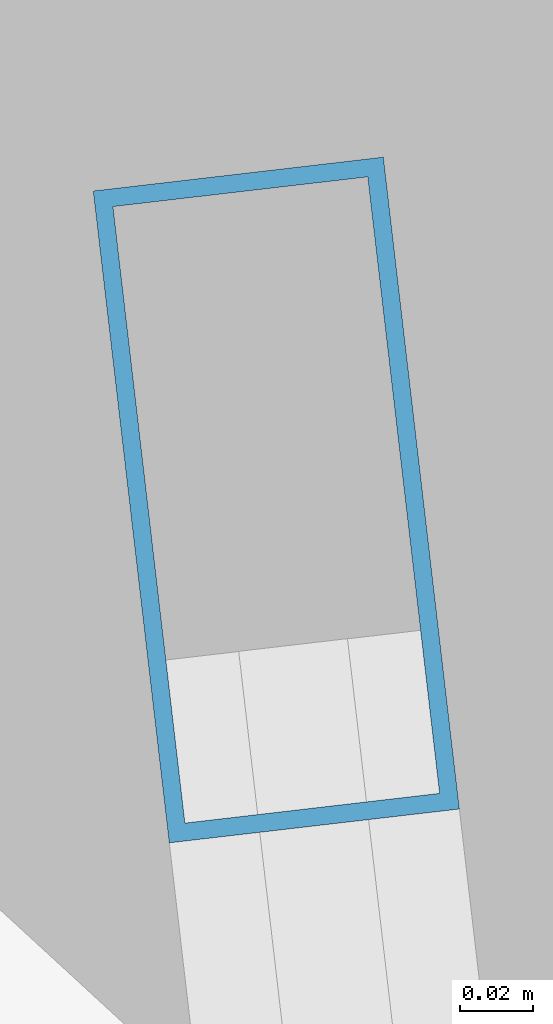
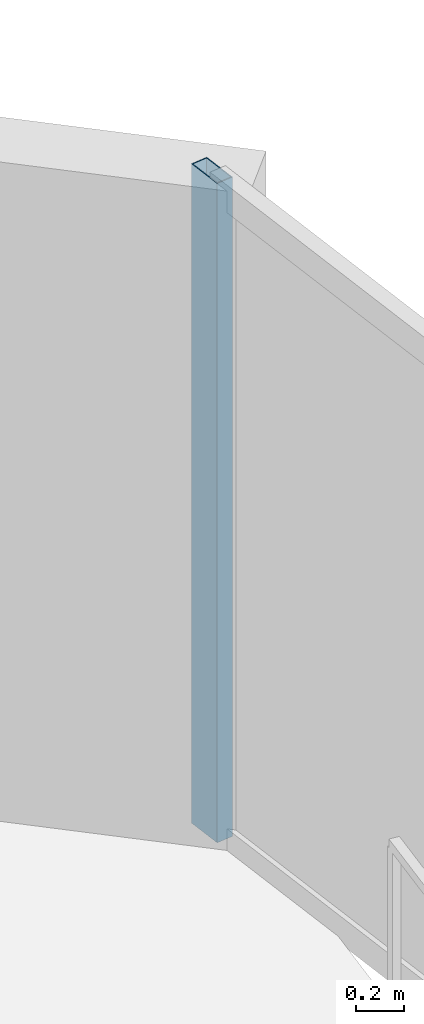
# One storey, part 22 of 31: 1 member, 1 element without a shape of its own.
"""IFC4 building model written with IfcOpenShell, lengths in metres."""

from ifc_helpers import new_model, si_unit, direction, frame, origin, origin_2d, place, context, subcontext, project, spatial, hollow_rectangle, extrude, material, layer, layer_set, material_profile, profile_set, type_object, element, aggregate, save


model = new_model("IFC4")

# Units and contexts
model_context = context("Model", 3, precision=1e-05, world=origin(), true_north=direction((0.0, 1.0)))
body_context = subcontext(model_context, "Body", "Model", "MODEL_VIEW")
ifc_project = project(units=[si_unit("LENGTHUNIT", "METRE"), si_unit("AREAUNIT", "SQUARE_METRE"), si_unit("VOLUMEUNIT", "CUBIC_METRE"), si_unit("PLANEANGLEUNIT", "RADIAN"), si_unit("MASSUNIT", "GRAM", prefix="KILO")], contexts=[model_context])

# Site, building, storey
site_placement = place(None, origin())
site = spatial("IfcSite", under=ifc_project, at=site_placement, CompositionType="ELEMENT")
building_placement = place(site_placement, origin())
building = spatial("IfcBuilding", under=site, at=building_placement, Name="Kazevale Care Tower and Concert Hall", CompositionType="ELEMENT")
storey_placement = place(building_placement, frame((0.0, 0.0, 235.199951171875)))
storey = spatial("IfcBuildingStorey", under=building, at=storey_placement, Name="L62", CompositionType="ELEMENT", Elevation=235.199951171875)

# Curtain wall, member
ifc_material_1 = material(Name="Aluminium 6063-T6 and Low-E Glass", Category="aluminium")
ifc_layer = layer(ifc_material_1, 0.179931640625)
ifc_layer_set = layer_set([ifc_layer], Name="Aluminium 6063-T6 and Low-E Glass")
curtain_wall_type = type_object("IfcCurtainWallType", Name="Waist & Upper Residential Curtain Wall CW-4", PredefinedType="NOTDEFINED", material=ifc_layer_set)
curtain_wall_placement = place(storey_placement, origin())
curtain_wall = element("IfcCurtainWall", 1, at=curtain_wall_placement, inside=storey, type_object=curtain_wall_type, Name="cw:L62:f18", PredefinedType="NOTDEFINED")
ifc_material_2 = material(Name="Aluminium 6063-T6", Category="aluminium")
ifc_material_profile = material_profile(ifc_material_2, hollow_rectangle(XDim=0.080078125, YDim=0.179931640625, WallThickness=0.0048828125, at=origin_2d()), Name="ALU80x180x5")
ifc_profile_set = profile_set([ifc_material_profile], Name="Aluminium 6063-T6")
member_type = type_object("IfcMemberType", Name="CW-4 Mullion ALU80x180x5", PredefinedType="MULLION", material=ifc_profile_set)
member_placement = place(storey_placement, frame((75.2255859375, 49.955322265625, 0.0), z_axis=(0.0, 0.0, 1.0), x_axis=(0.993267109779, 0.115846659989, 0.0)))
member = element("IfcMember", 2, at=member_placement, type_object=member_type, Name="CW-4 mullion 1", PredefinedType="MULLION", context=body_context, shape_type="SweptSolid", body=[
    extrude(hollow_rectangle(XDim=0.080078125, YDim=0.179931640625, WallThickness=0.0048828125, at=origin_2d()), origin(), (0.0, 0.0, 1.0), 3.360107421875),
])
aggregate(curtain_wall, [member])

save(model, "model.ifc")
